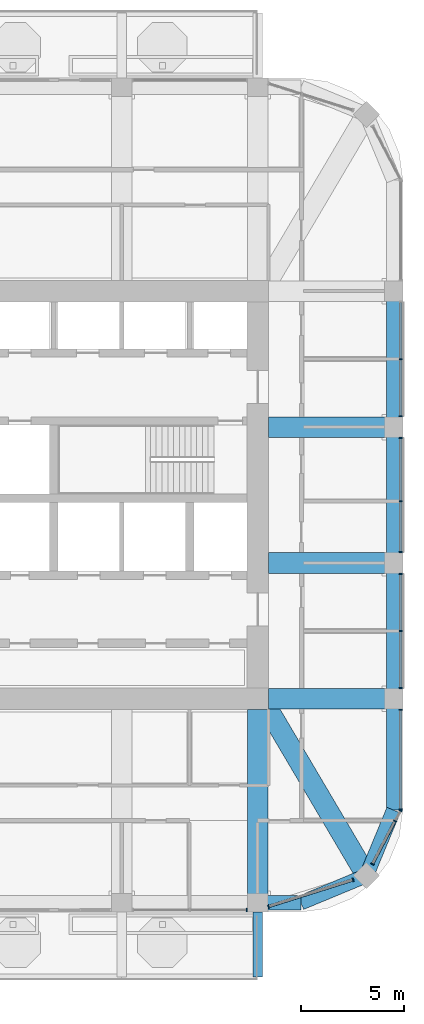
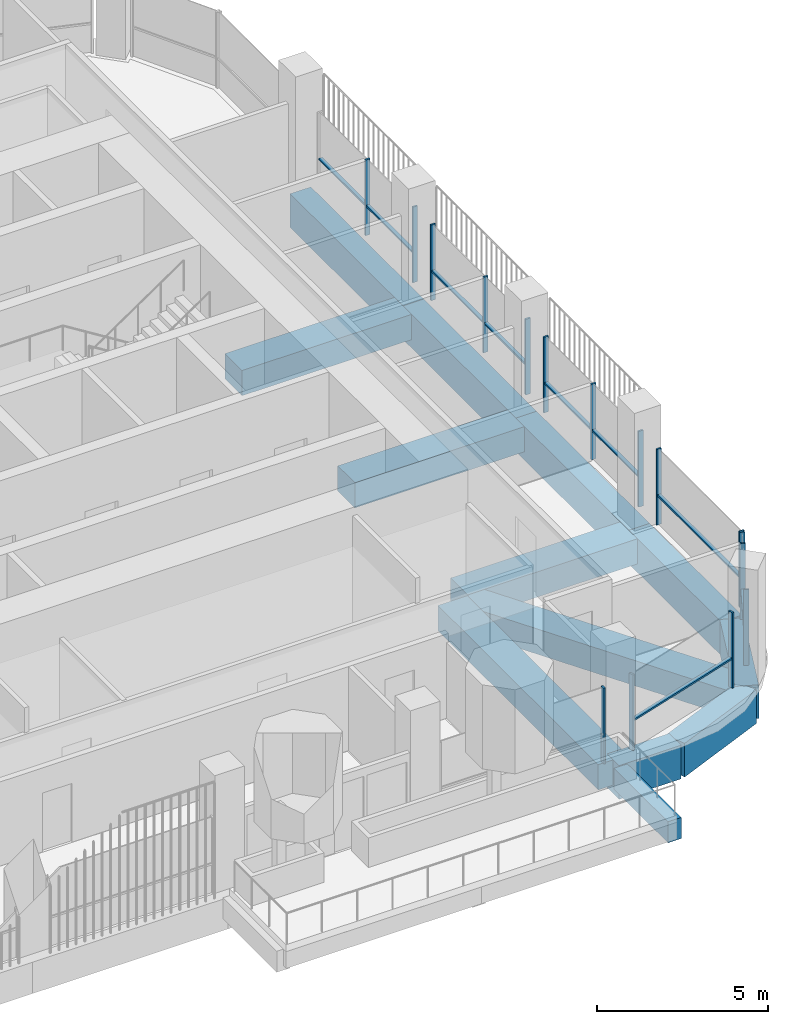
# One storey, part 5 of 21: 25 members, 13 beams, 7 elements without a shape of their own.
"""IFC4 building model written with IfcOpenShell, lengths in metres."""

from ifc_helpers import new_model, si_unit, direction, frame, origin, origin_2d, place, context, subcontext, project, spatial, rectangle, extrude, material, material_profile, profile_set, type_object, element, aggregate, save


model = new_model("IFC4")

# Units and contexts
model_context = context("Model", 3, precision=1e-05, world=origin(), true_north=direction((0.0, 1.0)))
body_context = subcontext(model_context, "Body", "Model", "MODEL_VIEW")
ifc_project = project(units=[si_unit("LENGTHUNIT", "METRE"), si_unit("AREAUNIT", "SQUARE_METRE"), si_unit("VOLUMEUNIT", "CUBIC_METRE"), si_unit("PLANEANGLEUNIT", "RADIAN"), si_unit("MASSUNIT", "GRAM", prefix="KILO")], contexts=[model_context])

# Site, building, storey
site_placement = place(None, origin())
site = spatial("IfcSite", under=ifc_project, at=site_placement, CompositionType="ELEMENT")
building_placement = place(site_placement, origin())
building = spatial("IfcBuilding", under=site, at=building_placement, Name="Cobogo Forest Laboratory Tower", CompositionType="ELEMENT")
storey_placement = place(building_placement, frame((0.0, 0.0, 275.39990234375)))
storey = spatial("IfcBuildingStorey", under=building, at=storey_placement, Name="L63", CompositionType="ELEMENT", Elevation=275.39990234375)

# Beam
ifc_material_1 = material(Name="Concrete HA-40 (C40/50)", Category="concrete")
ifc_material_profile_1 = material_profile(ifc_material_1, rectangle(XDim=0.449951171875, YDim=0.75, at=origin_2d()), Name="RC 450x750")
ifc_profile_set_1 = profile_set([ifc_material_profile_1], Name="Concrete HA-40 (C40/50)")
beam_type_1 = type_object("IfcBeamType", Name="Balcony cantilever beam 450x750", PredefinedType="BEAM", material=ifc_profile_set_1)
beam_1_placement = place(storey_placement, frame((39.60009765625, 2.85009765625, -0.625), z_axis=(0.0, -1.0, 0.0), x_axis=(1.0, 0.0, 0.0)))
element("IfcBeam", 1, at=beam_1_placement, inside=storey, type_object=beam_type_1, Name="CB1 BAL-S1-C3 L63", PredefinedType="BEAM", context=body_context, shape_type="SweptSolid", body=[
    extrude(rectangle(XDim=0.449951171875, YDim=0.75, at=origin_2d()), origin(), (0.0, 0.0, 1.0), 3.150146484375),
])

# Curtain wall, member
ifc_material_2 = material(Name="Aluminium curtain wall", Category="aluminium")
curtain_wall_type = type_object("IfcCurtainWallType", Name="CW-2 unitised curtain wall, solar control glazing, laboratory floors zones C and D", PredefinedType="USERDEFINED", material=ifc_material_2)
curtain_wall_1_placement = place(storey_placement, origin())
curtain_wall_1 = element("IfcCurtainWall", 2, at=curtain_wall_1_placement, inside=storey, type_object=curtain_wall_type, Name="Curtain wall 04 L63", ObjectType="UNITISED CURTAIN WALL", PredefinedType="USERDEFINED")
ifc_material_3 = material(Name="Aluminium mullion", Category="aluminium")
ifc_material_profile_2 = material_profile(ifc_material_3, rectangle(XDim=0.06005859375, YDim=0.159912109375, at=origin_2d()), Name="AL 60x160")
ifc_profile_set_2 = profile_set([ifc_material_profile_2], Name="Aluminium mullion")
member_type_1 = type_object("IfcMemberType", Name="MU-1 aluminium mullion 60x160", PredefinedType="MULLION", material=ifc_profile_set_2)
member_1_placement = place(storey_placement, frame((39.070068359375, 2.949951171875, 0.0), z_axis=(0.0, 0.0, 1.0), x_axis=(1.0, 0.0, 0.0)))
member_1 = element("IfcMember", 3, at=member_1_placement, type_object=member_type_1, Name="CW-2 mullion 3", PredefinedType="MULLION", context=body_context, shape_type="SweptSolid", body=[
    extrude(rectangle(XDim=0.06005859375, YDim=0.159912109375, at=origin_2d()), origin(), (0.0, 0.0, 1.0), 2.7001953125),
])
aggregate(curtain_wall_1, [member_1])

# Curtain wall, members
curtain_wall_2_placement = place(storey_placement, origin())
curtain_wall_2 = element("IfcCurtainWall", 4, at=curtain_wall_2_placement, inside=storey, type_object=curtain_wall_type, Name="Curtain wall 05 L63", ObjectType="UNITISED CURTAIN WALL", PredefinedType="USERDEFINED")
member_2_placement = place(storey_placement, frame((40.128662109375, 3.116943359375, 0.0), z_axis=(0.0, 0.0, 1.0), x_axis=(0.953581379409, 0.301135439371, 0.0)))
member_2 = element("IfcMember", 5, at=member_2_placement, type_object=member_type_1, Name="CW-2 mullion 1", PredefinedType="MULLION", context=body_context, shape_type="SweptSolid", body=[
    extrude(rectangle(XDim=0.06005859375, YDim=0.159912109375, at=origin_2d()), origin(), (0.0, 0.0, 1.0), 2.7001953125),
])
member_3_placement = place(storey_placement, frame((44.22998046875, 4.412109375, 0.0), z_axis=(0.0, 0.0, 1.0), x_axis=(0.953581379409, 0.301135439371, 0.0)))
member_3 = element("IfcMember", 6, at=member_3_placement, type_object=member_type_1, Name="CW-2 mullion 2", PredefinedType="MULLION", context=body_context, shape_type="SweptSolid", body=[
    extrude(rectangle(XDim=0.06005859375, YDim=0.159912109375, at=origin_2d()), origin(), (0.0, 0.0, 1.0), 2.7001953125),
])

curtain_wall_3_placement = place(storey_placement, origin())
curtain_wall_3 = element("IfcCurtainWall", 7, at=curtain_wall_3_placement, inside=storey, type_object=curtain_wall_type, Name="Curtain wall 06 L63", ObjectType="UNITISED CURTAIN WALL", PredefinedType="USERDEFINED")
member_4_placement = place(storey_placement, frame((45.177978515625, 5.1826171875, 0.0), z_axis=(0.0, 0.0, 1.0), x_axis=(0.464283778337, 0.885686498245, 0.0)))
member_4 = element("IfcMember", 8, at=member_4_placement, type_object=member_type_1, Name="CW-2 mullion 1", PredefinedType="MULLION", context=body_context, shape_type="SweptSolid", body=[
    extrude(rectangle(XDim=0.06005859375, YDim=0.159912109375, at=origin_2d()), origin(), (0.0, 0.0, 1.0), 2.7001953125),
])
member_5_placement = place(storey_placement, frame((46.268310546875, 7.262939453125, 0.0), z_axis=(0.0, 0.0, 1.0), x_axis=(0.464283778337, 0.885686498245, 0.0)))
member_5 = element("IfcMember", 9, at=member_5_placement, type_object=member_type_1, Name="CW-2 mullion 2", PredefinedType="MULLION", context=body_context, shape_type="SweptSolid", body=[
    extrude(rectangle(XDim=0.06005859375, YDim=0.159912109375, at=origin_2d()), origin(), (0.0, 0.0, 1.0), 2.7001953125),
])
member_6_placement = place(storey_placement, frame((46.5361328125, 7.7734375, 0.0), z_axis=(0.0, 0.0, 1.0), x_axis=(0.464283778337, 0.885686498245, 0.0)))
member_6 = element("IfcMember", 10, at=member_6_placement, type_object=member_type_1, Name="CW-2 mullion 3", PredefinedType="MULLION", context=body_context, shape_type="SweptSolid", body=[
    extrude(rectangle(XDim=0.06005859375, YDim=0.159912109375, at=origin_2d()), origin(), (0.0, 0.0, 1.0), 2.7001953125),
])

curtain_wall_4_placement = place(storey_placement, origin())
curtain_wall_4 = element("IfcCurtainWall", 11, at=curtain_wall_4_placement, inside=storey, type_object=curtain_wall_type, Name="Curtain wall 07 L63", ObjectType="UNITISED CURTAIN WALL", PredefinedType="USERDEFINED")
member_7_placement = place(storey_placement, frame((46.550048828125, 7.830078125, 0.0), z_axis=(0.0, 0.0, 1.0), x_axis=(0.0, 1.0, 0.0)))
member_7 = element("IfcMember", 12, at=member_7_placement, type_object=member_type_1, Name="CW-2 mullion 1", PredefinedType="MULLION", context=body_context, shape_type="SweptSolid", body=[
    extrude(rectangle(XDim=0.06005859375, YDim=0.159912109375, at=origin_2d()), origin(), (0.0, 0.0, 1.0), 2.7001953125),
])
member_8_placement = place(storey_placement, frame((46.550048828125, 12.669921875, 0.0), z_axis=(0.0, 0.0, 1.0), x_axis=(0.0, 1.0, 0.0)))
member_8 = element("IfcMember", 13, at=member_8_placement, type_object=member_type_1, Name="CW-2 mullion 2", PredefinedType="MULLION", context=body_context, shape_type="SweptSolid", body=[
    extrude(rectangle(XDim=0.06005859375, YDim=0.159912109375, at=origin_2d()), origin(), (0.0, 0.0, 1.0), 2.7001953125),
])

curtain_wall_5_placement = place(storey_placement, origin())
curtain_wall_5 = element("IfcCurtainWall", 14, at=curtain_wall_5_placement, inside=storey, type_object=curtain_wall_type, Name="Curtain wall 08 L63", ObjectType="UNITISED CURTAIN WALL", PredefinedType="USERDEFINED")
member_9_placement = place(storey_placement, frame((46.550048828125, 13.72998046875, 0.0), z_axis=(0.0, 0.0, 1.0), x_axis=(0.0, 1.0, 0.0)))
member_9 = element("IfcMember", 15, at=member_9_placement, type_object=member_type_1, Name="CW-2 mullion 1", PredefinedType="MULLION", context=body_context, shape_type="SweptSolid", body=[
    extrude(rectangle(XDim=0.06005859375, YDim=0.159912109375, at=origin_2d()), origin(), (0.0, 0.0, 1.0), 2.7001953125),
])
member_10_placement = place(storey_placement, frame((46.550048828125, 16.5, 0.0), z_axis=(0.0, 0.0, 1.0), x_axis=(0.0, 1.0, 0.0)))
member_10 = element("IfcMember", 16, at=member_10_placement, type_object=member_type_1, Name="CW-2 mullion 2", PredefinedType="MULLION", context=body_context, shape_type="SweptSolid", body=[
    extrude(rectangle(XDim=0.06005859375, YDim=0.159912109375, at=origin_2d()), origin(), (0.0, 0.0, 1.0), 2.7001953125),
])
member_11_placement = place(storey_placement, frame((46.550048828125, 19.27001953125, 0.0), z_axis=(0.0, 0.0, 1.0), x_axis=(0.0, 1.0, 0.0)))
member_11 = element("IfcMember", 17, at=member_11_placement, type_object=member_type_1, Name="CW-2 mullion 3", PredefinedType="MULLION", context=body_context, shape_type="SweptSolid", body=[
    extrude(rectangle(XDim=0.06005859375, YDim=0.159912109375, at=origin_2d()), origin(), (0.0, 0.0, 1.0), 2.7001953125),
])

curtain_wall_6_placement = place(storey_placement, origin())
curtain_wall_6 = element("IfcCurtainWall", 18, at=curtain_wall_6_placement, inside=storey, type_object=curtain_wall_type, Name="Curtain wall 09 L63", ObjectType="UNITISED CURTAIN WALL", PredefinedType="USERDEFINED")
member_12_placement = place(storey_placement, frame((46.550048828125, 20.330078125, 0.0), z_axis=(0.0, 0.0, 1.0), x_axis=(0.0, 1.0, 0.0)))
member_12 = element("IfcMember", 19, at=member_12_placement, type_object=member_type_1, Name="CW-2 mullion 1", PredefinedType="MULLION", context=body_context, shape_type="SweptSolid", body=[
    extrude(rectangle(XDim=0.06005859375, YDim=0.159912109375, at=origin_2d()), origin(), (0.0, 0.0, 1.0), 2.7001953125),
])
member_13_placement = place(storey_placement, frame((46.550048828125, 22.800048828125, 0.0), z_axis=(0.0, 0.0, 1.0), x_axis=(0.0, 1.0, 0.0)))
member_13 = element("IfcMember", 20, at=member_13_placement, type_object=member_type_1, Name="CW-2 mullion 2", PredefinedType="MULLION", context=body_context, shape_type="SweptSolid", body=[
    extrude(rectangle(XDim=0.06005859375, YDim=0.159912109375, at=origin_2d()), origin(), (0.0, 0.0, 1.0), 2.7001953125),
])
member_14_placement = place(storey_placement, frame((46.550048828125, 25.8701171875, 0.0), z_axis=(0.0, 0.0, 1.0), x_axis=(0.0, 1.0, 0.0)))
member_14 = element("IfcMember", 21, at=member_14_placement, type_object=member_type_1, Name="CW-2 mullion 3", PredefinedType="MULLION", context=body_context, shape_type="SweptSolid", body=[
    extrude(rectangle(XDim=0.06005859375, YDim=0.159912109375, at=origin_2d()), origin(), (0.0, 0.0, 1.0), 2.7001953125),
])

curtain_wall_7_placement = place(storey_placement, origin())
curtain_wall_7 = element("IfcCurtainWall", 22, at=curtain_wall_7_placement, inside=storey, type_object=curtain_wall_type, Name="Curtain wall 10 L63", ObjectType="UNITISED CURTAIN WALL", PredefinedType="USERDEFINED")
member_15_placement = place(storey_placement, frame((46.550048828125, 26.929931640625, 0.0), z_axis=(0.0, 0.0, 1.0), x_axis=(0.0, 1.0, 0.0)))
member_15 = element("IfcMember", 23, at=member_15_placement, type_object=member_type_1, Name="CW-2 mullion 1", PredefinedType="MULLION", context=body_context, shape_type="SweptSolid", body=[
    extrude(rectangle(XDim=0.06005859375, YDim=0.159912109375, at=origin_2d()), origin(), (0.0, 0.0, 1.0), 2.7001953125),
])
member_16_placement = place(storey_placement, frame((46.550048828125, 29.699951171875, 0.0), z_axis=(0.0, 0.0, 1.0), x_axis=(0.0, 1.0, 0.0)))
member_16 = element("IfcMember", 24, at=member_16_placement, type_object=member_type_1, Name="CW-2 mullion 2", PredefinedType="MULLION", context=body_context, shape_type="SweptSolid", body=[
    extrude(rectangle(XDim=0.06005859375, YDim=0.159912109375, at=origin_2d()), origin(), (0.0, 0.0, 1.0), 2.7001953125),
])

# Beams
ifc_material_profile_3 = material_profile(ifc_material_1, rectangle(XDim=1.0, YDim=0.89990234375, at=origin_2d()), Name="RC 1000x900")
ifc_profile_set_3 = profile_set([ifc_material_profile_3], Name="Concrete HA-40 (C40/50)")
beam_type_2 = type_object("IfcBeamType", Name="Office floor wide beam 1000x900", PredefinedType="BEAM", material=ifc_profile_set_3)
beam_2_placement = place(storey_placement, frame((39.60009765625, 12.675048828125, -0.75), z_axis=(0.0, -1.0, 0.0), x_axis=(1.0, 0.0, 0.0)))
element("IfcBeam", 25, at=beam_2_placement, inside=storey, type_object=beam_type_2, Name="RB2 R-7-S L63", PredefinedType="BEAM", context=body_context, shape_type="SweptSolid", body=[
    extrude(rectangle(XDim=1.0, YDim=0.89990234375, at=origin_2d()), origin(), (0.0, 0.0, 1.0), 9.375),
])
for number, where, z_axis, x_axis, name in (
    (26, (40.125, 13.199951171875, -0.75), (1.0, 0.0, 0.0), (0.0, 1.0, 0.0), "RB2 R-C-E L63"),
    (27, (40.125, 19.800048828125, -0.75), (1.0, 0.0, 0.0), (0.0, 1.0, 0.0), "RB2 R-D-E L63"),
    (28, (40.125, 26.39990234375, -0.75), (1.0, 0.0, 0.0), (0.0, 1.0, 0.0), "RB2 R-E-E L63"),
):
    element("IfcBeam", number, at=place(storey_placement, frame(where, z_axis=z_axis, x_axis=x_axis)), inside=storey, type_object=beam_type_2, Name=name, PredefinedType="BEAM", context=body_context, shape_type="SweptSolid", body=[
        extrude(rectangle(XDim=1.0, YDim=0.89990234375, at=origin_2d()), origin(), (0.0, 0.0, 1.0), 6.074951171875),
    ])
beam_3_placement = place(storey_placement, frame((44.882080078125, 4.617919921875, -0.75), z_axis=(-0.508416325908, 0.861111397875, 0.0), x_axis=(-0.861111397875, -0.508416325908, 0.0)))
element("IfcBeam", 29, at=beam_3_placement, inside=storey, type_object=beam_type_2, Name="RB2 G-SE-D1 L63", PredefinedType="BEAM", context=body_context, shape_type="SweptSolid", body=[
    extrude(rectangle(XDim=1.0, YDim=0.89990234375, at=origin_2d()), origin(), (0.0, 0.0, 1.0), 9.356689453125),
])
ifc_material_profile_4 = material_profile(ifc_material_1, rectangle(XDim=0.699951171875, YDim=1.199951171875, at=origin_2d()), Name="RC 700x1200")
ifc_profile_set_4 = profile_set([ifc_material_profile_4], Name="Concrete HA-40 (C40/50)")
beam_type_3 = type_object("IfcBeamType", Name="Perimeter edge beam 700x1200", PredefinedType="BEAM", material=ifc_profile_set_4)
beam_4_placement = place(storey_placement, frame((46.199951171875, 13.199951171875, -0.89990234375), z_axis=(0.0, 1.0, 0.0), x_axis=(-1.0, 0.0, 0.0)))
element("IfcBeam", 30, at=beam_4_placement, inside=storey, type_object=beam_type_3, Name="EB1 E-E1 L63", PredefinedType="BEAM", context=body_context, shape_type="SweptSolid", body=[
    extrude(rectangle(XDim=0.699951171875, YDim=1.199951171875, at=origin_2d()), origin(), (0.0, 0.0, 1.0), 6.60009765625),
])
beam_5_placement = place(storey_placement, frame((46.199951171875, 19.800048828125, -0.89990234375), z_axis=(0.0, 1.0, 0.0), x_axis=(-1.0, 0.0, 0.0)))
element("IfcBeam", 31, at=beam_5_placement, inside=storey, type_object=beam_type_3, Name="EB1 E-E2 L63", PredefinedType="BEAM", context=body_context, shape_type="SweptSolid", body=[
    extrude(rectangle(XDim=0.699951171875, YDim=1.199951171875, at=origin_2d()), origin(), (0.0, 0.0, 1.0), 6.599853515625),
])
beam_6_placement = place(storey_placement, frame((46.199951171875, 26.39990234375, -0.89990234375), z_axis=(0.0, 1.0, 0.0), x_axis=(-1.0, 0.0, 0.0)))
element("IfcBeam", 32, at=beam_6_placement, inside=storey, type_object=beam_type_3, Name="EB1 E-E3 L63", PredefinedType="BEAM", context=body_context, shape_type="SweptSolid", body=[
    extrude(rectangle(XDim=0.699951171875, YDim=1.199951171875, at=origin_2d()), origin(), (0.0, 0.0, 1.0), 6.60009765625),
])
beam_7_placement = place(storey_placement, frame((39.60009765625, 3.300048828125, -0.89990234375), z_axis=(1.0, 0.0, 0.0), x_axis=(0.0, 1.0, 0.0)))
element("IfcBeam", 33, at=beam_7_placement, inside=storey, type_object=beam_type_3, Name="EB1 E-SES1 L63", PredefinedType="BEAM", context=body_context, shape_type="SweptSolid", body=[
    extrude(rectangle(XDim=0.699951171875, YDim=1.199951171875, at=origin_2d()), origin(), (0.0, 0.0, 1.0), 2.099853515625),
])
beam_8_placement = place(storey_placement, frame((41.699951171875, 3.300048828125, -0.89990234375), z_axis=(0.923901072997, 0.382631424892, 0.0), x_axis=(-0.382631424892, 0.923901072997, 0.0)))
element("IfcBeam", 34, at=beam_8_placement, inside=storey, type_object=beam_type_3, Name="EB1 E-SES2 L63", PredefinedType="BEAM", context=body_context, shape_type="SweptSolid", body=[
    extrude(rectangle(XDim=0.699951171875, YDim=1.199951171875, at=origin_2d()), origin(), (0.0, 0.0, 1.0), 3.4443359375),
])
beam_9_placement = place(storey_placement, frame((46.199951171875, 13.199951171875, -0.89990234375), z_axis=(0.0, -1.0, 0.0), x_axis=(1.0, 0.0, 0.0)))
element("IfcBeam", 35, at=beam_9_placement, inside=storey, type_object=beam_type_3, Name="EB1 E-SEE1 L63", PredefinedType="BEAM", context=body_context, shape_type="SweptSolid", body=[
    extrude(rectangle(XDim=0.699951171875, YDim=1.199951171875, at=origin_2d()), origin(), (0.0, 0.0, 1.0), 5.39990234375),
])
beam_10_placement = place(storey_placement, frame((46.199951171875, 7.800048828125, -0.89990234375), z_axis=(-0.382631424892, -0.923901072997, 0.0), x_axis=(0.923901072997, -0.382631424892, 0.0)))
element("IfcBeam", 36, at=beam_10_placement, inside=storey, type_object=beam_type_3, Name="EB1 E-SEE2 L63", PredefinedType="BEAM", context=body_context, shape_type="SweptSolid", body=[
    extrude(rectangle(XDim=0.699951171875, YDim=1.199951171875, at=origin_2d()), origin(), (0.0, 0.0, 1.0), 3.4443359375),
])

# Member
ifc_material_4 = material(Name="Aluminium transom", Category="aluminium")
ifc_material_profile_5 = material_profile(ifc_material_4, rectangle(XDim=0.1201171875, YDim=0.06005859375, at=origin_2d()), Name="AL 60x120")
ifc_profile_set_5 = profile_set([ifc_material_profile_5], Name="Aluminium transom")
member_type_2 = type_object("IfcMemberType", Name="TR-1 aluminium transom 60x120", PredefinedType="USERDEFINED", material=ifc_profile_set_5)
member_17_placement = place(storey_placement, frame((40.1572265625, 3.1259765625, 1.050048828125), z_axis=(0.953583535148, 0.30112861288, 0.0), x_axis=(-0.30112861288, 0.953583535148, 0.0)))
member_17 = element("IfcMember", 37, at=member_17_placement, type_object=member_type_2, Name="CW-2 transom 1.1", ObjectType="TRANSOM", PredefinedType="USERDEFINED", context=body_context, shape_type="SweptSolid", body=[
    extrude(rectangle(XDim=0.1201171875, YDim=0.06005859375, at=origin_2d()), origin(), (0.0, 0.0, 1.0), 4.240966796875),
])

aggregate(curtain_wall_2, [member_2, member_3, member_17])

member_18_placement = place(storey_placement, frame((45.19189453125, 5.209228515625, 1.050048828125), z_axis=(0.46424215306, 0.885708317293, 0.0), x_axis=(-0.885708317293, 0.46424215306, 0.0)))
member_18 = element("IfcMember", 38, at=member_18_placement, type_object=member_type_2, Name="CW-2 transom 1.1", ObjectType="TRANSOM", PredefinedType="USERDEFINED", context=body_context, shape_type="SweptSolid", body=[
    extrude(rectangle(XDim=0.1201171875, YDim=0.06005859375, at=origin_2d()), origin(), (0.0, 0.0, 1.0), 2.28857421875),
])

aggregate(curtain_wall_3, [member_4, member_5, member_6, member_18])

member_19_placement = place(storey_placement, frame((46.550048828125, 7.860107421875, 1.050048828125), z_axis=(0.0, 1.0, 0.0), x_axis=(-1.0, 0.0, 0.0)))
member_19 = element("IfcMember", 39, at=member_19_placement, type_object=member_type_2, Name="CW-2 transom 1.1", ObjectType="TRANSOM", PredefinedType="USERDEFINED", context=body_context, shape_type="SweptSolid", body=[
    extrude(rectangle(XDim=0.1201171875, YDim=0.06005859375, at=origin_2d()), origin(), (0.0, 0.0, 1.0), 4.77978515625),
])

aggregate(curtain_wall_4, [member_7, member_8, member_19])

member_20_placement = place(storey_placement, frame((46.550048828125, 13.760009765625, 1.050048828125), z_axis=(0.0, 1.0, 0.0), x_axis=(-1.0, 0.0, 0.0)))
member_20 = element("IfcMember", 40, at=member_20_placement, type_object=member_type_2, Name="CW-2 transom 1.1", ObjectType="TRANSOM", PredefinedType="USERDEFINED", context=body_context, shape_type="SweptSolid", body=[
    extrude(rectangle(XDim=0.1201171875, YDim=0.06005859375, at=origin_2d()), origin(), (0.0, 0.0, 1.0), 2.7099609375),
])

member_21_placement = place(storey_placement, frame((46.550048828125, 16.530029296875, 1.050048828125), z_axis=(0.0, 1.0, 0.0), x_axis=(-1.0, 0.0, 0.0)))
member_21 = element("IfcMember", 41, at=member_21_placement, type_object=member_type_2, Name="CW-2 transom 2.1", ObjectType="TRANSOM", PredefinedType="USERDEFINED", context=body_context, shape_type="SweptSolid", body=[
    extrude(rectangle(XDim=0.1201171875, YDim=0.06005859375, at=origin_2d()), origin(), (0.0, 0.0, 1.0), 2.7099609375),
])

aggregate(curtain_wall_5, [member_9, member_10, member_11, member_20, member_21])

member_22_placement = place(storey_placement, frame((46.550048828125, 20.360107421875, 1.050048828125), z_axis=(0.0, 1.0, 0.0), x_axis=(-1.0, 0.0, 0.0)))
member_22 = element("IfcMember", 42, at=member_22_placement, type_object=member_type_2, Name="CW-2 transom 1.1", ObjectType="TRANSOM", PredefinedType="USERDEFINED", context=body_context, shape_type="SweptSolid", body=[
    extrude(rectangle(XDim=0.1201171875, YDim=0.06005859375, at=origin_2d()), origin(), (0.0, 0.0, 1.0), 2.409912109375),
])

member_23_placement = place(storey_placement, frame((46.550048828125, 22.830078125, 1.050048828125), z_axis=(0.0, 1.0, 0.0), x_axis=(-1.0, 0.0, 0.0)))
member_23 = element("IfcMember", 43, at=member_23_placement, type_object=member_type_2, Name="CW-2 transom 2.1", ObjectType="TRANSOM", PredefinedType="USERDEFINED", context=body_context, shape_type="SweptSolid", body=[
    extrude(rectangle(XDim=0.1201171875, YDim=0.06005859375, at=origin_2d()), origin(), (0.0, 0.0, 1.0), 3.010009765625),
])

aggregate(curtain_wall_6, [member_12, member_13, member_14, member_22, member_23])

member_24_placement = place(storey_placement, frame((46.550048828125, 26.9599609375, 1.050048828125), z_axis=(0.0, 1.0, 0.0), x_axis=(-1.0, 0.0, 0.0)))
member_24 = element("IfcMember", 44, at=member_24_placement, type_object=member_type_2, Name="CW-2 transom 1.1", ObjectType="TRANSOM", PredefinedType="USERDEFINED", context=body_context, shape_type="SweptSolid", body=[
    extrude(rectangle(XDim=0.1201171875, YDim=0.06005859375, at=origin_2d()), origin(), (0.0, 0.0, 1.0), 2.7099609375),
])

member_25_placement = place(storey_placement, frame((46.550048828125, 29.72998046875, 1.050048828125), z_axis=(0.0, 1.0, 0.0), x_axis=(-1.0, 0.0, 0.0)))
member_25 = element("IfcMember", 45, at=member_25_placement, type_object=member_type_2, Name="CW-2 transom 2.1", ObjectType="TRANSOM", PredefinedType="USERDEFINED", context=body_context, shape_type="SweptSolid", body=[
    extrude(rectangle(XDim=0.1201171875, YDim=0.06005859375, at=origin_2d()), origin(), (0.0, 0.0, 1.0), 2.7099609375),
])

aggregate(curtain_wall_7, [member_15, member_16, member_24, member_25])

save(model, "model.ifc")
